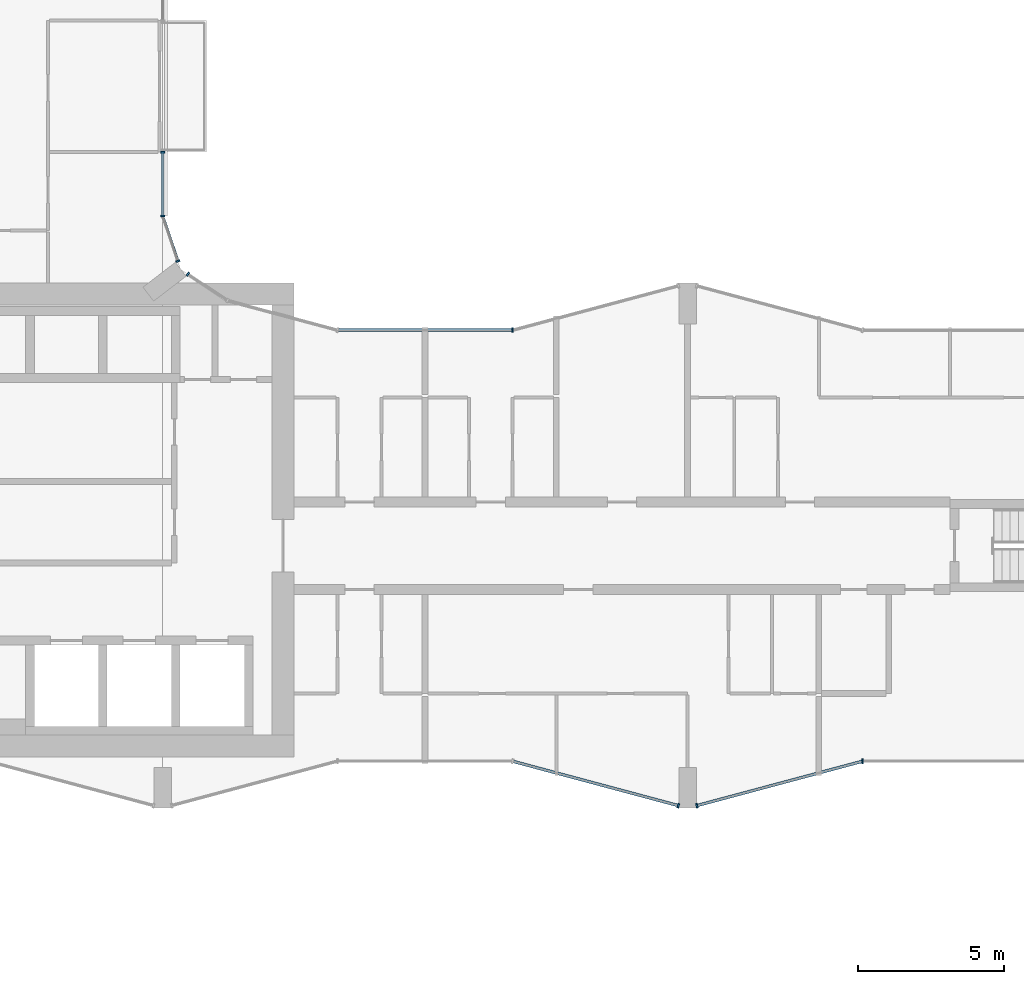
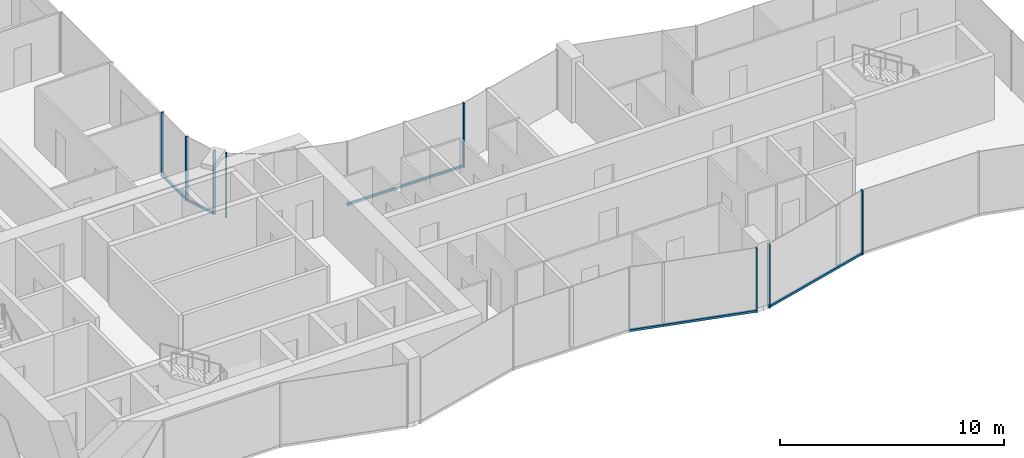
# One storey, part 4 of 23: 13 members, 7 elements without a shape of their own.
"""IFC4 building model written with IfcOpenShell, lengths in metres."""

from ifc_helpers import new_model, si_unit, direction, frame, origin, origin_2d, place, context, subcontext, project, spatial, rectangle, extrude, material, layer, layer_set, material_profile, profile_set, type_object, element, aggregate, save


model = new_model("IFC4")

# Units and contexts
model_context = context("Model", 3, precision=1e-05, world=origin(), true_north=direction((0.0, 1.0)))
body_context = subcontext(model_context, "Body", "Model", "MODEL_VIEW")
ifc_project = project(units=[si_unit("LENGTHUNIT", "METRE"), si_unit("AREAUNIT", "SQUARE_METRE"), si_unit("VOLUMEUNIT", "CUBIC_METRE"), si_unit("PLANEANGLEUNIT", "RADIAN"), si_unit("MASSUNIT", "GRAM", prefix="KILO")], contexts=[model_context])

# Site, building, storey
site_placement = place(None, origin())
site = spatial("IfcSite", under=ifc_project, at=site_placement, CompositionType="ELEMENT")
building_placement = place(site_placement, origin())
building = spatial("IfcBuilding", under=site, at=building_placement, Name="Plateau Cross Towers", CompositionType="ELEMENT")
storey_placement = place(building_placement, frame((0.0, 0.0, 33.800048828125)))
storey = spatial("IfcBuildingStorey", under=building, at=storey_placement, Name="L07", CompositionType="ELEMENT", Elevation=33.800048828125)

# Curtain wall, member
ifc_material_1 = material(Name="Dark low-iron glass", Category="glass")
ifc_layer_1 = layer(ifc_material_1, 0.239990234375)
ifc_layer_set_1 = layer_set([ifc_layer_1], Name="Dark low-iron glass")
curtain_wall_type_1 = type_object("IfcCurtainWallType", Name="Curtain wall flush unitised CW-B", PredefinedType="NOTDEFINED", material=ifc_layer_set_1)
curtain_wall_1_placement = place(storey_placement, origin())
curtain_wall_1 = element("IfcCurtainWall", 1, at=curtain_wall_1_placement, inside=storey, type_object=curtain_wall_type_1, Name="ENV/A/L07/A202_174", PredefinedType="NOTDEFINED")
ifc_material_2 = material(Name="Black anodised aluminium", Category="aluminium")
ifc_material_profile_1 = material_profile(ifc_material_2, rectangle(XDim=0.06005859375, YDim=0.139892578125, at=origin_2d()), Name="MULLION 60x140")
ifc_profile_set_1 = profile_set([ifc_material_profile_1], Name="Black anodised aluminium")
member_type_1 = type_object("IfcMemberType", Name="Mullion 60x140 flush unitised", PredefinedType="MULLION", material=ifc_profile_set_1)
member_1_placement = place(storey_placement, frame((18.86962890625, 18.30908203125, -0.25), z_axis=(0.0, 0.0, 1.0), x_axis=(-0.831521253329, 0.555492938984, 0.0)))
member_1 = element("IfcMember", 2, at=member_1_placement, type_object=member_type_1, Name="CW-B mullion 2", PredefinedType="MULLION", context=body_context, shape_type="SweptSolid", body=[
    extrude(rectangle(XDim=0.06005859375, YDim=0.139892578125, at=origin_2d()), origin(), (0.0, 0.0, 1.0), 3.5),
])
aggregate(curtain_wall_1, [member_1])

curtain_wall_2_placement = place(storey_placement, origin())
curtain_wall_2 = element("IfcCurtainWall", 3, at=curtain_wall_2_placement, inside=storey, type_object=curtain_wall_type_1, Name="ENV/A/L07/A185_188", PredefinedType="NOTDEFINED")
member_2_placement = place(storey_placement, frame((18.523681640625, 18.760009765625, -0.25), z_axis=(0.0, 0.0, 1.0), x_axis=(-0.321469161574, 0.94692004845, 0.0)))
member_2 = element("IfcMember", 4, at=member_2_placement, type_object=member_type_1, Name="CW-B mullion 1", PredefinedType="MULLION", context=body_context, shape_type="SweptSolid", body=[
    extrude(rectangle(XDim=0.06005859375, YDim=0.139892578125, at=origin_2d()), origin(), (0.0, 0.0, 1.0), 3.5),
])

# Curtain wall, members
curtain_wall_3_placement = place(storey_placement, origin())
curtain_wall_3 = element("IfcCurtainWall", 5, at=curtain_wall_3_placement, inside=storey, type_object=curtain_wall_type_1, Name="ENV/A/L07/A180_203", PredefinedType="NOTDEFINED")
member_3_placement = place(storey_placement, frame((18.0, 20.30224609375, -0.25), z_axis=(0.0, 0.0, 1.0), x_axis=(0.0, 1.0, 0.0)))
member_3 = element("IfcMember", 6, at=member_3_placement, type_object=member_type_1, Name="CW-B mullion 1", PredefinedType="MULLION", context=body_context, shape_type="SweptSolid", body=[
    extrude(rectangle(XDim=0.06005859375, YDim=0.139892578125, at=origin_2d()), origin(), (0.0, 0.0, 1.0), 3.5),
])
member_4_placement = place(storey_placement, frame((18.0, 22.489990234375, -0.25), z_axis=(0.0, 0.0, 1.0), x_axis=(0.0, 1.0, 0.0)))
member_4 = element("IfcMember", 7, at=member_4_placement, type_object=member_type_1, Name="CW-B mullion 2", PredefinedType="MULLION", context=body_context, shape_type="SweptSolid", body=[
    extrude(rectangle(XDim=0.06005859375, YDim=0.139892578125, at=origin_2d()), origin(), (0.0, 0.0, 1.0), 3.5),
])

# Curtain wall, member
ifc_layer_2 = layer(ifc_material_1, 0.260009765625)
ifc_layer_set_2 = layer_set([ifc_layer_2], Name="Dark low-iron glass")
curtain_wall_type_2 = type_object("IfcCurtainWallType", Name="Curtain wall fluted unitised CW-A", PredefinedType="NOTDEFINED", material=ifc_layer_set_2)
curtain_wall_4_placement = place(storey_placement, origin())
curtain_wall_4 = element("IfcCurtainWall", 8, at=curtain_wall_4_placement, inside=storey, type_object=curtain_wall_type_2, Name="ENV/A/L07/A300_16", PredefinedType="NOTDEFINED")
ifc_material_profile_2 = material_profile(ifc_material_2, rectangle(XDim=0.06005859375, YDim=0.159912109375, at=origin_2d()), Name="MULLION 60x160")
ifc_profile_set_2 = profile_set([ifc_material_profile_2], Name="Black anodised aluminium")
member_type_2 = type_object("IfcMemberType", Name="Mullion 60x160 fluted unitised", PredefinedType="MULLION", material=ifc_profile_set_2)
member_5_placement = place(storey_placement, frame((35.68212890625, 0.085205078125, -0.25), z_axis=(0.0, 0.0, 1.0), x_axis=(0.965957983404, -0.258699003279, 0.0)))
member_5 = element("IfcMember", 9, at=member_5_placement, type_object=member_type_2, Name="CW-A mullion 2", PredefinedType="MULLION", context=body_context, shape_type="SweptSolid", body=[
    extrude(rectangle(XDim=0.06005859375, YDim=0.159912109375, at=origin_2d()), origin(), (0.0, 0.0, 1.0), 3.5),
])

curtain_wall_5_placement = place(storey_placement, origin())
curtain_wall_5 = element("IfcCurtainWall", 10, at=curtain_wall_5_placement, inside=storey, type_object=curtain_wall_type_2, Name="ENV/A/L07/A363_1", PredefinedType="NOTDEFINED")
member_6_placement = place(storey_placement, frame((36.31787109375, 0.085205078125, -0.25), z_axis=(0.0, 0.0, 1.0), x_axis=(0.965957983404, 0.258699003279, 0.0)))
member_6 = element("IfcMember", 11, at=member_6_placement, type_object=member_type_2, Name="CW-A mullion 1", PredefinedType="MULLION", context=body_context, shape_type="SweptSolid", body=[
    extrude(rectangle(XDim=0.06005859375, YDim=0.159912109375, at=origin_2d()), origin(), (0.0, 0.0, 1.0), 3.5),
])

curtain_wall_6_placement = place(storey_placement, origin())
curtain_wall_6 = element("IfcCurtainWall", 12, at=curtain_wall_6_placement, inside=storey, type_object=curtain_wall_type_2, Name="ENV/A/L07/A420_16", PredefinedType="NOTDEFINED")
member_7_placement = place(storey_placement, frame((42.0, 1.60693359375, -0.25), z_axis=(0.0, 0.0, 1.0), x_axis=(1.0, 0.0, 0.0)))
member_7 = element("IfcMember", 13, at=member_7_placement, type_object=member_type_2, Name="CW-A mullion 1", PredefinedType="MULLION", context=body_context, shape_type="SweptSolid", body=[
    extrude(rectangle(XDim=0.06005859375, YDim=0.159912109375, at=origin_2d()), origin(), (0.0, 0.0, 1.0), 3.5),
])
aggregate(curtain_wall_6, [member_7])

curtain_wall_7_placement = place(storey_placement, origin())
curtain_wall_7 = element("IfcCurtainWall", 14, at=curtain_wall_7_placement, inside=storey, type_object=curtain_wall_type_2, Name="ENV/A/L07/A300_164", PredefinedType="NOTDEFINED")
member_8_placement = place(storey_placement, frame((30.0, 16.39306640625, -0.25), z_axis=(0.0, 0.0, 1.0), x_axis=(-1.0, 0.0, 0.0)))
member_8 = element("IfcMember", 15, at=member_8_placement, type_object=member_type_2, Name="CW-A mullion 1", PredefinedType="MULLION", context=body_context, shape_type="SweptSolid", body=[
    extrude(rectangle(XDim=0.06005859375, YDim=0.159912109375, at=origin_2d()), origin(), (0.0, 0.0, 1.0), 3.5),
])

# Member
ifc_material_profile_3 = material_profile(ifc_material_2, rectangle(XDim=0.10009765625, YDim=0.1201171875, at=origin_2d()), Name="TRANSOM 100x120")
ifc_profile_set_3 = profile_set([ifc_material_profile_3], Name="Black anodised aluminium")
member_type_3 = type_object("IfcMemberType", Name="Transom 100x120 flush unitised", PredefinedType="USERDEFINED", material=ifc_profile_set_3)
member_9_placement = place(storey_placement, frame((18.523681640625, 18.760009765625, -0.18994140625), z_axis=(-0.321529174838, 0.946899672472, 0.0), x_axis=(-0.946899672472, -0.321529174838, 0.0)))
member_9 = element("IfcMember", 16, at=member_9_placement, type_object=member_type_3, Name="CW-B transom", ObjectType="TRANSOM", PredefinedType="USERDEFINED", context=body_context, shape_type="SweptSolid", body=[
    extrude(rectangle(XDim=0.10009765625, YDim=0.1201171875, at=origin_2d()), origin(), (0.0, 0.0, 1.0), 1.628662109375),
])

aggregate(curtain_wall_2, [member_2, member_9])

member_10_placement = place(storey_placement, frame((18.0, 20.30224609375, -0.18994140625), z_axis=(0.0, 1.0, 0.0), x_axis=(-1.0, 0.0, 0.0)))
member_10 = element("IfcMember", 17, at=member_10_placement, type_object=member_type_3, Name="CW-B transom", ObjectType="TRANSOM", PredefinedType="USERDEFINED", context=body_context, shape_type="SweptSolid", body=[
    extrude(rectangle(XDim=0.10009765625, YDim=0.1201171875, at=origin_2d()), origin(), (0.0, 0.0, 1.0), 2.187744140625),
])

aggregate(curtain_wall_3, [member_3, member_4, member_10])

ifc_material_profile_4 = material_profile(ifc_material_2, rectangle(XDim=0.10009765625, YDim=0.1201171875, at=origin_2d()), Name="TRANSOM 100x120")
ifc_profile_set_4 = profile_set([ifc_material_profile_4], Name="Black anodised aluminium")
member_type_4 = type_object("IfcMemberType", Name="Transom 100x120 fluted unitised", PredefinedType="USERDEFINED", material=ifc_profile_set_4)
member_11_placement = place(storey_placement, frame((30.0, 1.60693359375, -0.18994140625), z_axis=(0.965959534794, -0.258693210465, 0.0), x_axis=(0.258693210465, 0.965959534794, 0.0)))
member_11 = element("IfcMember", 18, at=member_11_placement, type_object=member_type_4, Name="CW-A transom", ObjectType="TRANSOM", PredefinedType="USERDEFINED", context=body_context, shape_type="SweptSolid", body=[
    extrude(rectangle(XDim=0.10009765625, YDim=0.1201171875, at=origin_2d()), origin(), (0.0, 0.0, 1.0), 5.88232421875),
])

aggregate(curtain_wall_4, [member_5, member_11])

member_12_placement = place(storey_placement, frame((36.31787109375, 0.085205078125, -0.18994140625), z_axis=(0.965959534794, 0.258693210465, 0.0), x_axis=(-0.258693210465, 0.965959534794, 0.0)))
member_12 = element("IfcMember", 19, at=member_12_placement, type_object=member_type_4, Name="CW-A transom", ObjectType="TRANSOM", PredefinedType="USERDEFINED", context=body_context, shape_type="SweptSolid", body=[
    extrude(rectangle(XDim=0.10009765625, YDim=0.1201171875, at=origin_2d()), origin(), (0.0, 0.0, 1.0), 5.88232421875),
])

aggregate(curtain_wall_5, [member_6, member_12])

member_13_placement = place(storey_placement, frame((30.0, 16.39306640625, -0.18994140625), z_axis=(-1.0, 0.0, 0.0), x_axis=(0.0, -1.0, 0.0)))
member_13 = element("IfcMember", 20, at=member_13_placement, type_object=member_type_4, Name="CW-A transom", ObjectType="TRANSOM", PredefinedType="USERDEFINED", context=body_context, shape_type="SweptSolid", body=[
    extrude(rectangle(XDim=0.10009765625, YDim=0.1201171875, at=origin_2d()), origin(), (0.0, 0.0, 1.0), 6.0),
])

aggregate(curtain_wall_7, [member_8, member_13])

save(model, "model.ifc")
